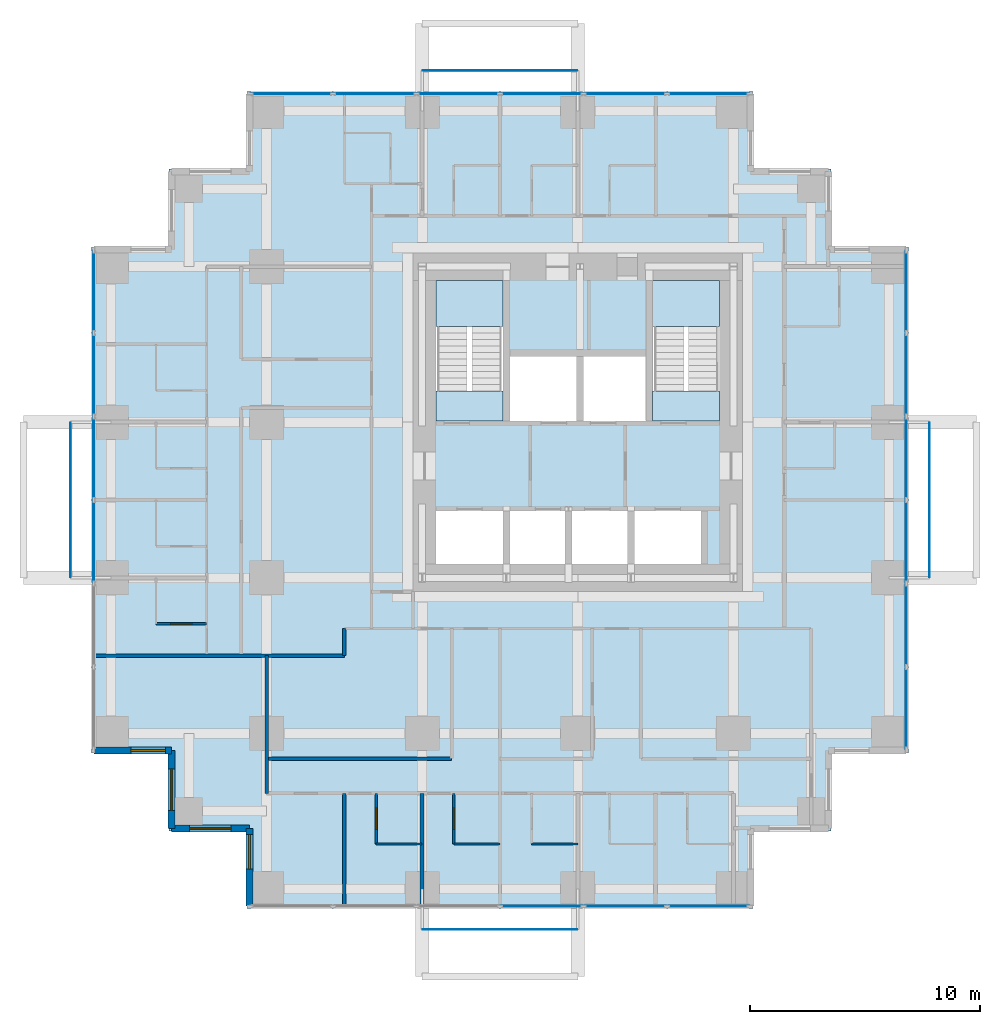
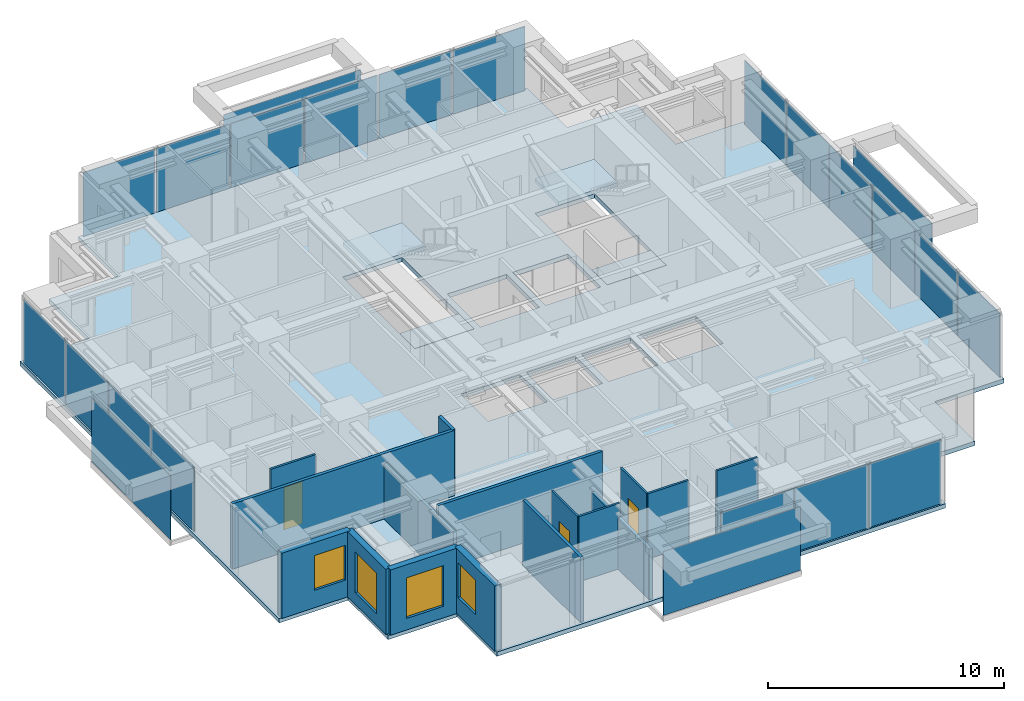
# One storey, part 5 of 11: 23 plates, 16 walls, 5 slabs, 4 windows, 3 doors, 7 openings, 6 elements without a shape of their own.
"""IFC4 building model written with IfcOpenShell, lengths in metres."""

from ifc_helpers import new_model, si_unit, direction, frame, frame_2d, origin, origin_2d, place, context, subcontext, project, spatial, polyline, rectangle, outline, extrude, material, layer, layer_set, type_object, element, fill, aggregate, save


model = new_model("IFC4")

# Units and contexts
model_context = context("Model", 3, precision=1e-05, world=origin(), true_north=direction((0.0, 1.0)))
body_context = subcontext(model_context, "Body", "Model", "MODEL_VIEW")
ifc_project = project(units=[si_unit("LENGTHUNIT", "METRE"), si_unit("AREAUNIT", "SQUARE_METRE"), si_unit("VOLUMEUNIT", "CUBIC_METRE"), si_unit("PLANEANGLEUNIT", "RADIAN"), si_unit("MASSUNIT", "GRAM", prefix="KILO")], contexts=[model_context])

# Site, building, storey
site_placement = place(None, origin())
site = spatial("IfcSite", under=ifc_project, at=site_placement, CompositionType="ELEMENT")
building_placement = place(site_placement, origin())
building = spatial("IfcBuilding", under=site, at=building_placement, Name="Nyansa Garden Tower", CompositionType="ELEMENT")
storey_placement = place(building_placement, frame((0.0, 0.0, 160.199951171875)))
storey = spatial("IfcBuildingStorey", under=building, at=storey_placement, Name="L43", CompositionType="ELEMENT", Elevation=160.199951171875)

# Curtain wall, plates
ifc_material_1 = material(Name="Black anodised aluminium, dark tinted double glazing", Category="aluminium")
curtain_wall_type = type_object("IfcCurtainWallType", Name="Inner skin curtain wall ISW-C", PredefinedType="USERDEFINED", material=ifc_material_1)
curtain_wall_1_placement = place(storey_placement, origin())
curtain_wall_1 = element("IfcCurtainWall", 1, at=curtain_wall_1_placement, inside=storey, type_object=curtain_wall_type, Name="Inner skin curtain wall L43 E", ObjectType="UNITISED CURTAIN WALL", PredefinedType="USERDEFINED")
ifc_material_2 = material(Name="Dark tinted laminated double glazing", Category="glass")
ifc_layer_1 = layer(ifc_material_2, 0.0400390625)
ifc_layer_set_1 = layer_set([ifc_layer_1], Name="Dark tinted vision panel VP-C")
plate_type_1 = type_object("IfcPlateType", Name="Dark tinted vision panel VP-C", PredefinedType="CURTAIN_PANEL", material=ifc_layer_set_1)
plate_1_placement = place(storey_placement, frame((34.5, 7.830078125, 0.0), z_axis=(0.0, 0.0, 1.0), x_axis=(0.0, 1.0, 0.0)))
plate_1 = element("IfcPlate", 2, at=plate_1_placement, type_object=plate_type_1, Name="ISW-C panel 1", PredefinedType="CURTAIN_PANEL", context=body_context, shape_type="SweptSolid", body=[
    extrude(rectangle(XDim=3.52001953125, YDim=0.0400390625, at=origin_2d()), origin(), (0.0, 0.0, 1.0), 3.304931640625),
])
plate_2_placement = place(storey_placement, frame((34.5, 11.4375, 0.0), z_axis=(0.0, 0.0, 1.0), x_axis=(0.0, 1.0, 0.0)))
plate_2 = element("IfcPlate", 3, at=plate_2_placement, type_object=plate_type_1, Name="ISW-C panel 2", PredefinedType="CURTAIN_PANEL", context=body_context, shape_type="SweptSolid", body=[
    extrude(rectangle(XDim=3.554931640625, YDim=0.0400390625, at=origin_2d()), origin(), (0.0, 0.0, 1.0), 3.304931640625),
])
plate_3_placement = place(storey_placement, frame((34.5, 15.0625, 0.0), z_axis=(0.0, 0.0, 1.0), x_axis=(0.0, 1.0, 0.0)))
plate_3 = element("IfcPlate", 4, at=plate_3_placement, type_object=plate_type_1, Name="ISW-C panel 3", PredefinedType="CURTAIN_PANEL", context=body_context, shape_type="SweptSolid", body=[
    extrude(rectangle(XDim=3.554931640625, YDim=0.0400390625, at=origin_2d()), origin(), (0.0, 0.0, 1.0), 3.304931640625),
])
plate_4_placement = place(storey_placement, frame((34.5, 18.6875, 0.0), z_axis=(0.0, 0.0, 1.0), x_axis=(0.0, 1.0, 0.0)))
plate_4 = element("IfcPlate", 5, at=plate_4_placement, type_object=plate_type_1, Name="ISW-C panel 4", PredefinedType="CURTAIN_PANEL", context=body_context, shape_type="SweptSolid", body=[
    extrude(rectangle(XDim=3.554931640625, YDim=0.0400390625, at=origin_2d()), origin(), (0.0, 0.0, 1.0), 3.304931640625),
])
plate_5_placement = place(storey_placement, frame((34.5, 22.3125, 0.0), z_axis=(0.0, 0.0, 1.0), x_axis=(0.0, 1.0, 0.0)))
plate_5 = element("IfcPlate", 6, at=plate_5_placement, type_object=plate_type_1, Name="ISW-C panel 5", PredefinedType="CURTAIN_PANEL", context=body_context, shape_type="SweptSolid", body=[
    extrude(rectangle(XDim=3.554931640625, YDim=0.0400390625, at=origin_2d()), origin(), (0.0, 0.0, 1.0), 3.304931640625),
])
plate_6_placement = place(storey_placement, frame((34.5, 25.919921875, 0.0), z_axis=(0.0, 0.0, 1.0), x_axis=(0.0, 1.0, 0.0)))
plate_6 = element("IfcPlate", 7, at=plate_6_placement, type_object=plate_type_1, Name="ISW-C panel 6", PredefinedType="CURTAIN_PANEL", context=body_context, shape_type="SweptSolid", body=[
    extrude(rectangle(XDim=3.52001953125, YDim=0.0400390625, at=origin_2d()), origin(), (0.0, 0.0, 1.0), 3.304931640625),
])
aggregate(curtain_wall_1, [plate_1, plate_2, plate_3, plate_4, plate_5, plate_6])

curtain_wall_2_placement = place(storey_placement, origin())
curtain_wall_2 = element("IfcCurtainWall", 8, at=curtain_wall_2_placement, inside=storey, type_object=curtain_wall_type, Name="Inner skin curtain wall L43 N", ObjectType="UNITISED CURTAIN WALL", PredefinedType="USERDEFINED")
plate_7_placement = place(storey_placement, frame((25.919921875, 34.5, 0.0), z_axis=(0.0, 0.0, 1.0), x_axis=(-1.0, 0.0, 0.0)))
plate_7 = element("IfcPlate", 9, at=plate_7_placement, type_object=plate_type_1, Name="ISW-C panel 1", PredefinedType="CURTAIN_PANEL", context=body_context, shape_type="SweptSolid", body=[
    extrude(rectangle(XDim=3.52001953125, YDim=0.0400390625, at=origin_2d()), origin(), (0.0, 0.0, 1.0), 3.304931640625),
])
plate_8_placement = place(storey_placement, frame((22.3125, 34.5, 0.0), z_axis=(0.0, 0.0, 1.0), x_axis=(-1.0, 0.0, 0.0)))
plate_8 = element("IfcPlate", 10, at=plate_8_placement, type_object=plate_type_1, Name="ISW-C panel 2", PredefinedType="CURTAIN_PANEL", context=body_context, shape_type="SweptSolid", body=[
    extrude(rectangle(XDim=3.554931640625, YDim=0.0400390625, at=origin_2d()), origin(), (0.0, 0.0, 1.0), 3.304931640625),
])
plate_9_placement = place(storey_placement, frame((18.6875, 34.5, 0.0), z_axis=(0.0, 0.0, 1.0), x_axis=(-1.0, 0.0, 0.0)))
plate_9 = element("IfcPlate", 11, at=plate_9_placement, type_object=plate_type_1, Name="ISW-C panel 3", PredefinedType="CURTAIN_PANEL", context=body_context, shape_type="SweptSolid", body=[
    extrude(rectangle(XDim=3.554931640625, YDim=0.0400390625, at=origin_2d()), origin(), (0.0, 0.0, 1.0), 3.304931640625),
])
plate_10_placement = place(storey_placement, frame((15.0625, 34.5, 0.0), z_axis=(0.0, 0.0, 1.0), x_axis=(-1.0, 0.0, 0.0)))
plate_10 = element("IfcPlate", 12, at=plate_10_placement, type_object=plate_type_1, Name="ISW-C panel 4", PredefinedType="CURTAIN_PANEL", context=body_context, shape_type="SweptSolid", body=[
    extrude(rectangle(XDim=3.554931640625, YDim=0.0400390625, at=origin_2d()), origin(), (0.0, 0.0, 1.0), 3.304931640625),
])
plate_11_placement = place(storey_placement, frame((11.4375, 34.5, 0.0), z_axis=(0.0, 0.0, 1.0), x_axis=(-1.0, 0.0, 0.0)))
plate_11 = element("IfcPlate", 13, at=plate_11_placement, type_object=plate_type_1, Name="ISW-C panel 5", PredefinedType="CURTAIN_PANEL", context=body_context, shape_type="SweptSolid", body=[
    extrude(rectangle(XDim=3.554931640625, YDim=0.0400390625, at=origin_2d()), origin(), (0.0, 0.0, 1.0), 3.304931640625),
])
plate_12_placement = place(storey_placement, frame((7.830078125, 34.5, 0.0), z_axis=(0.0, 0.0, 1.0), x_axis=(-1.0, 0.0, 0.0)))
plate_12 = element("IfcPlate", 14, at=plate_12_placement, type_object=plate_type_1, Name="ISW-C panel 6", PredefinedType="CURTAIN_PANEL", context=body_context, shape_type="SweptSolid", body=[
    extrude(rectangle(XDim=3.52001953125, YDim=0.0400390625, at=origin_2d()), origin(), (0.0, 0.0, 1.0), 3.304931640625),
])
aggregate(curtain_wall_2, [plate_7, plate_8, plate_9, plate_10, plate_11, plate_12])

curtain_wall_3_placement = place(storey_placement, origin())
curtain_wall_3 = element("IfcCurtainWall", 15, at=curtain_wall_3_placement, inside=storey, type_object=curtain_wall_type, Name="Inner skin curtain wall L43 W", ObjectType="UNITISED CURTAIN WALL", PredefinedType="USERDEFINED")
plate_13_placement = place(storey_placement, frame((-0.75, 25.919921875, 0.0), z_axis=(0.0, 0.0, 1.0), x_axis=(0.0, -1.0, 0.0)))
plate_13 = element("IfcPlate", 16, at=plate_13_placement, type_object=plate_type_1, Name="ISW-C panel 1", PredefinedType="CURTAIN_PANEL", context=body_context, shape_type="SweptSolid", body=[
    extrude(rectangle(XDim=3.52001953125, YDim=0.0400390625, at=origin_2d()), origin(), (0.0, 0.0, 1.0), 3.304931640625),
])
plate_14_placement = place(storey_placement, frame((-0.75, 22.3125, 0.0), z_axis=(0.0, 0.0, 1.0), x_axis=(0.0, -1.0, 0.0)))
plate_14 = element("IfcPlate", 17, at=plate_14_placement, type_object=plate_type_1, Name="ISW-C panel 2", PredefinedType="CURTAIN_PANEL", context=body_context, shape_type="SweptSolid", body=[
    extrude(rectangle(XDim=3.554931640625, YDim=0.0400390625, at=origin_2d()), origin(), (0.0, 0.0, 1.0), 3.304931640625),
])
plate_15_placement = place(storey_placement, frame((-0.75, 18.6875, 0.0), z_axis=(0.0, 0.0, 1.0), x_axis=(0.0, -1.0, 0.0)))
plate_15 = element("IfcPlate", 18, at=plate_15_placement, type_object=plate_type_1, Name="ISW-C panel 3", PredefinedType="CURTAIN_PANEL", context=body_context, shape_type="SweptSolid", body=[
    extrude(rectangle(XDim=3.554931640625, YDim=0.0400390625, at=origin_2d()), origin(), (0.0, 0.0, 1.0), 3.304931640625),
])
plate_16_placement = place(storey_placement, frame((-0.75, 15.0625, 0.0), z_axis=(0.0, 0.0, 1.0), x_axis=(0.0, -1.0, 0.0)))
plate_16 = element("IfcPlate", 19, at=plate_16_placement, type_object=plate_type_1, Name="ISW-C panel 4", PredefinedType="CURTAIN_PANEL", context=body_context, shape_type="SweptSolid", body=[
    extrude(rectangle(XDim=3.554931640625, YDim=0.0400390625, at=origin_2d()), origin(), (0.0, 0.0, 1.0), 3.304931640625),
])
aggregate(curtain_wall_3, [plate_13, plate_14, plate_15, plate_16])

curtain_wall_4_placement = place(storey_placement, origin())
curtain_wall_4 = element("IfcCurtainWall", 20, at=curtain_wall_4_placement, inside=storey, type_object=curtain_wall_type, Name="Inner skin curtain wall L43 S", ObjectType="UNITISED CURTAIN WALL", PredefinedType="USERDEFINED")
plate_17_placement = place(storey_placement, frame((18.6875, -0.75, 0.0), z_axis=(0.0, 0.0, 1.0), x_axis=(1.0, 0.0, 0.0)))
plate_17 = element("IfcPlate", 21, at=plate_17_placement, type_object=plate_type_1, Name="ISW-C panel 4", PredefinedType="CURTAIN_PANEL", context=body_context, shape_type="SweptSolid", body=[
    extrude(rectangle(XDim=3.554931640625, YDim=0.0400390625, at=origin_2d()), origin(), (0.0, 0.0, 1.0), 3.304931640625),
])
plate_18_placement = place(storey_placement, frame((22.3125, -0.75, 0.0), z_axis=(0.0, 0.0, 1.0), x_axis=(1.0, 0.0, 0.0)))
plate_18 = element("IfcPlate", 22, at=plate_18_placement, type_object=plate_type_1, Name="ISW-C panel 5", PredefinedType="CURTAIN_PANEL", context=body_context, shape_type="SweptSolid", body=[
    extrude(rectangle(XDim=3.554931640625, YDim=0.0400390625, at=origin_2d()), origin(), (0.0, 0.0, 1.0), 3.304931640625),
])
plate_19_placement = place(storey_placement, frame((25.919921875, -0.75, 0.0), z_axis=(0.0, 0.0, 1.0), x_axis=(1.0, 0.0, 0.0)))
plate_19 = element("IfcPlate", 23, at=plate_19_placement, type_object=plate_type_1, Name="ISW-C panel 6", PredefinedType="CURTAIN_PANEL", context=body_context, shape_type="SweptSolid", body=[
    extrude(rectangle(XDim=3.52001953125, YDim=0.0400390625, at=origin_2d()), origin(), (0.0, 0.0, 1.0), 3.304931640625),
])
aggregate(curtain_wall_4, [plate_17, plate_18, plate_19])

# Slab
ifc_material_3 = material(Name="Concrete C40/50", Category="concrete")
ifc_layer_2 = layer(ifc_material_3, 0.22509765625)
ifc_layer_set_2 = layer_set([ifc_layer_2], Name="Floor slab FS225")
slab_type_1 = type_object("IfcSlabType", Name="Floor slab FS225", PredefinedType="FLOOR", material=ifc_layer_set_2)
slab_1_placement = place(storey_placement, frame((0.0, 0.0, -0.224853515625)))
element("IfcSlab", 24, at=slab_1_placement, inside=storey, type_object=slab_type_1, Name="Floor slab L43", PredefinedType="FLOOR", context=body_context, shape_type="SweptSolid", body=[
    extrude(outline(polyline([(34.60009765625, 5.89990234375), (31.22509765625, 5.89990234375), (31.22509765625, 2.52490234375), (27.85009765625, 2.52490234375), (27.85009765625, -0.85009765625), (5.89990234375, -0.85009765625), (5.89990234375, 2.52490234375), (2.52490234375, 2.52490234375), (2.52490234375, 5.89990234375), (-0.85009765625, 5.89990234375), (-0.85009765625, 27.85009765625), (2.52490234375, 27.85009765625), (2.52490234375, 31.22509765625), (5.89990234375, 31.22509765625), (5.89990234375, 34.60009765625), (27.85009765625, 34.60009765625), (27.85009765625, 31.22509765625), (31.22509765625, 31.22509765625), (31.22509765625, 27.85009765625), (34.60009765625, 27.85009765625), (34.60009765625, 5.89990234375)]), holes=[polyline([(14.10009765625, 14.10009765625), (17.0, 14.10009765625), (17.0, 16.39990234375), (14.10009765625, 16.39990234375), (14.10009765625, 14.10009765625)]), polyline([(17.300048828125, 14.10009765625), (19.699951171875, 14.10009765625), (19.699951171875, 16.39990234375), (17.300048828125, 16.39990234375), (17.300048828125, 14.10009765625)]), polyline([(20.0, 14.10009765625), (22.39990234375, 14.10009765625), (22.39990234375, 16.39990234375), (20.0, 16.39990234375), (20.0, 14.10009765625)]), polyline([(22.699951171875, 14.10009765625), (25.60009765625, 14.10009765625), (25.60009765625, 16.39990234375), (22.699951171875, 16.39990234375), (22.699951171875, 14.10009765625)]), polyline([(17.300048828125, 20.300048828125), (20.199951171875, 20.300048828125), (20.199951171875, 23.10009765625), (17.300048828125, 23.10009765625), (17.300048828125, 20.300048828125)]), polyline([(20.5, 20.300048828125), (23.199951171875, 20.300048828125), (23.199951171875, 23.10009765625), (20.5, 23.10009765625), (20.5, 20.300048828125)]), polyline([(14.10009765625, 20.300048828125), (17.0, 20.300048828125), (17.0, 26.39990234375), (14.10009765625, 26.39990234375), (14.10009765625, 20.300048828125)]), polyline([(23.5, 20.300048828125), (26.39990234375, 20.300048828125), (26.39990234375, 26.39990234375), (23.5, 26.39990234375), (23.5, 20.300048828125)])]), origin(), (0.0, 0.0, 1.0), 0.224853515625),
])

# Plates
ifc_material_4 = material(Name="Dark tinted laminated glass", Category="glass")
ifc_layer_3 = layer(ifc_material_4, 0.02392578125)
ifc_layer_set_3 = layer_set([ifc_layer_3], Name="Outer skin glass panel OS1")
plate_type_2 = type_object("IfcPlateType", Name="Outer skin glass panel OS1", PredefinedType="USERDEFINED", material=ifc_layer_set_3)
for number, where, z_axis, x_axis, name in (
    (25, (35.5, 16.875, -0.22509765625), (0.0, 0.0, 1.0), (0.0, 1.0, 0.0), "Outer skin glass panel L43"),
    (26, (16.875, 35.5, -0.22509765625), (0.0, 0.0, 1.0), (1.0, 0.0, 0.0), "Outer skin glass panel L43"),
    (27, (-1.75, 16.875, -0.22509765625), (0.0, 0.0, 1.0), (0.0, 1.0, 0.0), "Outer skin glass panel L43"),
    (28, (16.875, -1.75, -0.22509765625), (0.0, 0.0, 1.0), (1.0, 0.0, 0.0), "Outer skin glass panel L43"),
):
    element("IfcPlate", number, at=place(storey_placement, frame(where, z_axis=z_axis, x_axis=x_axis)), inside=storey, type_object=plate_type_2, Name=name, ObjectType="OUTER SKIN GLASS", PredefinedType="USERDEFINED", context=body_context, shape_type="SweptSolid", body=[
        extrude(rectangle(XDim=6.7099609375, YDim=0.02392578125, at=origin_2d()), origin(), (0.0, 0.0, 1.0), 3.300048828125),
    ])

# Stair, slabs
ifc_material_5 = material(Name="Precast concrete C40/50", Category="concrete")
stair_type_1 = type_object("IfcStairType", Name="Stair S1 164x280", PredefinedType="HALF_TURN_STAIR", material=ifc_material_5)
stair_1_placement = place(storey_placement, origin())
stair_1 = element("IfcStair", 29, at=stair_1_placement, inside=storey, type_object=stair_type_1, Name="Stair S1 L43", PredefinedType="HALF_TURN_STAIR")
ifc_material_6 = material(Name="Concrete C40/50", Category="concrete")
ifc_layer_4 = layer(ifc_material_6, 0.199951171875)
ifc_layer_set_4 = layer_set([ifc_layer_4], Name="Stair landing SL200")
slab_type_2 = type_object("IfcSlabType", Name="Stair landing SL200", PredefinedType="LANDING", material=ifc_layer_set_4)
slab_2_placement = place(storey_placement, frame((0.0, 0.0, -0.199951171875)))
slab_2 = element("IfcSlab", 30, at=slab_2_placement, type_object=slab_type_2, Name="S1 landing 1", PredefinedType="LANDING", context=body_context, shape_type="SweptSolid", body=[
    extrude(outline(polyline([(14.10009765625, 20.300048828125), (17.0, 20.300048828125), (17.0, 21.60009765625), (14.10009765625, 21.60009765625), (14.10009765625, 20.300048828125)])), origin(), (0.0, 0.0, 1.0), 0.199951171875),
])
slab_3_placement = place(storey_placement, frame((0.0, 0.0, 1.60009765625)))
slab_3 = element("IfcSlab", 31, at=slab_3_placement, type_object=slab_type_2, Name="S1 landing 2", PredefinedType="LANDING", context=body_context, shape_type="SweptSolid", body=[
    extrude(outline(polyline([(14.10009765625, 24.39990234375), (17.0, 24.39990234375), (17.0, 26.39990234375), (14.10009765625, 26.39990234375), (14.10009765625, 24.39990234375)])), origin(), (0.0, 0.0, 1.0), 0.199951171875),
])
aggregate(stair_1, [slab_2, slab_3])

ifc_material_7 = material(Name="Precast concrete C40/50", Category="concrete")
stair_type_2 = type_object("IfcStairType", Name="Stair S2 164x280", PredefinedType="HALF_TURN_STAIR", material=ifc_material_7)
stair_2_placement = place(storey_placement, origin())
stair_2 = element("IfcStair", 32, at=stair_2_placement, inside=storey, type_object=stair_type_2, Name="Stair S2 L43", PredefinedType="HALF_TURN_STAIR")
slab_4_placement = place(storey_placement, frame((0.0, 0.0, -0.199951171875)))
slab_4 = element("IfcSlab", 33, at=slab_4_placement, type_object=slab_type_2, Name="S2 landing 1", PredefinedType="LANDING", context=body_context, shape_type="SweptSolid", body=[
    extrude(outline(polyline([(23.5, 20.300048828125), (26.39990234375, 20.300048828125), (26.39990234375, 21.60009765625), (23.5, 21.60009765625), (23.5, 20.300048828125)])), origin(), (0.0, 0.0, 1.0), 0.199951171875),
])
slab_5_placement = place(storey_placement, frame((0.0, 0.0, 1.60009765625)))
slab_5 = element("IfcSlab", 34, at=slab_5_placement, type_object=slab_type_2, Name="S2 landing 2", PredefinedType="LANDING", context=body_context, shape_type="SweptSolid", body=[
    extrude(outline(polyline([(23.5, 24.39990234375), (26.39990234375, 24.39990234375), (26.39990234375, 26.39990234375), (23.5, 26.39990234375), (23.5, 24.39990234375)])), origin(), (0.0, 0.0, 1.0), 0.199951171875),
])
aggregate(stair_2, [slab_4, slab_5])

# Walls
ifc_material_8 = material(Name="Dense blockwork, plastered both sides, 55 dB", Category="masonry")
ifc_layer_5 = layer(ifc_material_8, 0.175048828125)
ifc_layer_set_5 = layer_set([ifc_layer_5], Name="Acoustic party wall PW175")
wall_type_1 = type_object("IfcWallType", Name="Acoustic party wall PW175", PredefinedType="PARTITIONING", material=ifc_layer_set_5)
wall_1_placement = place(storey_placement, frame((13.5, -0.73388671875, 0.0), z_axis=(0.0, 0.0, 1.0), x_axis=(0.0, 1.0, 0.0)))
element("IfcWall", 35, at=wall_1_placement, inside=storey, type_object=wall_type_1, Name="Party wall", PredefinedType="PARTITIONING", context=body_context, shape_type="SweptSolid", body=[
    extrude(rectangle(XDim=4.8837890625, YDim=0.175048828125, at=frame_2d((2.44189453125, 0.0))), origin(), (0.0, 0.0, 1.0), 2.610107421875),
])
ifc_material_9 = material(Name="Blockwork, plastered both sides", Category="masonry")
ifc_layer_6 = layer(ifc_material_9, 0.14990234375)
ifc_layer_set_6 = layer_set([ifc_layer_6], Name="Partition PW150")
wall_type_2 = type_object("IfcWallType", Name="Partition PW150", PredefinedType="PARTITIONING", material=ifc_layer_set_6)
wall_2_placement = place(storey_placement, frame((-0.73388671875, 10.125, 0.0), z_axis=(0.0, 0.0, 1.0), x_axis=(1.0, 0.0, 0.0)))
element("IfcWall", 36, at=wall_2_placement, inside=storey, type_object=wall_type_2, Name="Partition", PredefinedType="PARTITIONING", context=body_context, shape_type="SweptSolid", body=[
    extrude(rectangle(XDim=10.85888671875, YDim=0.14990234375, at=frame_2d((5.429443359375, 0.0))), origin(), (0.0, 0.0, 1.0), 3.375),
])
wall_3_placement = place(storey_placement, frame((6.75, 4.14990234375, 0.0), z_axis=(0.0, 0.0, 1.0), x_axis=(0.0, 1.0, 0.0)))
element("IfcWall", 37, at=wall_3_placement, inside=storey, type_object=wall_type_2, Name="Partition", PredefinedType="PARTITIONING", context=body_context, shape_type="SweptSolid", body=[
    extrude(rectangle(XDim=5.97509765625, YDim=0.14990234375, at=frame_2d((2.987548828125, 0.0))), origin(), (0.0, 0.0, 1.0), 2.876953125),
])
wall_4_placement = place(storey_placement, frame((6.75, 5.64990234375, 0.0), z_axis=(0.0, 0.0, 1.0), x_axis=(1.0, 0.0, 0.0)))
element("IfcWall", 38, at=wall_4_placement, inside=storey, type_object=wall_type_2, Name="Partition", PredefinedType="PARTITIONING", context=body_context, shape_type="SweptSolid", body=[
    extrude(rectangle(XDim=8.02490234375, YDim=0.14990234375, at=frame_2d((4.012451171875, 0.0))), origin(), (0.0, 0.0, 1.0), 3.375),
])
wall_5_placement = place(storey_placement, frame((10.125, -0.73388671875, 0.0), z_axis=(0.0, 0.0, 1.0), x_axis=(0.0, 1.0, 0.0)))
element("IfcWall", 39, at=wall_5_placement, inside=storey, type_object=wall_type_2, Name="Partition", PredefinedType="PARTITIONING", context=body_context, shape_type="SweptSolid", body=[
    extrude(rectangle(XDim=4.8837890625, YDim=0.14990234375, at=frame_2d((2.44189453125, 0.0))), origin(), (0.0, 0.0, 1.0), 3.375),
])
wall_6_placement = place(storey_placement, frame((10.125, 10.125, 0.0), z_axis=(0.0, 0.0, 1.0), x_axis=(0.0, 1.0, 0.0)))
element("IfcWall", 40, at=wall_6_placement, inside=storey, type_object=wall_type_2, Name="Partition", PredefinedType="PARTITIONING", context=body_context, shape_type="SweptSolid", body=[
    extrude(rectangle(XDim=1.175048828125, YDim=0.14990234375, at=frame_2d((0.58740234375, 0.0))), origin(), (0.0, 0.0, 1.0), 3.375),
])

# Wall, opening, window
ifc_material_10 = material(Name="Turquoise glazed tile on concrete blockwork", Category="masonry")
ifc_layer_7 = layer(ifc_material_10, 0.300048828125)
ifc_layer_set_7 = layer_set([ifc_layer_7], Name="Tiled corner wall TW300")
wall_type_3 = type_object("IfcWallType", Name="Tiled corner wall TW300", PredefinedType="SOLIDWALL", material=ifc_layer_set_7)
wall_7_placement = place(storey_placement, frame((-0.75, 6.0, 0.0), z_axis=(0.0, 0.0, 1.0), x_axis=(1.0, 0.0, 0.0)))
wall_7 = element("IfcWall", 41, at=wall_7_placement, inside=storey, type_object=wall_type_3, Name="Tiled corner wall L43", PredefinedType="SOLIDWALL", context=body_context, shape_type="SweptSolid", body=[
    extrude(rectangle(XDim=3.375, YDim=0.300048828125, at=frame_2d((1.6875, 0.0))), origin(), (0.0, 0.0, 1.0), 3.375),
])
opening_1_placement = place(wall_7_placement, frame((1.607421875, 0.0, 0.89990234375)))
opening_1 = element("IfcOpeningElement", 42, at=opening_1_placement, cuts=wall_7, Name="Opening W1", PredefinedType="OPENING", context=body_context, shape_type="SweptSolid", body=[
    extrude(rectangle(XDim=1.5, YDim=1.800048828125, at=frame_2d((0.75, 0.89990234375))), frame((0.0, 0.159912109375, 0.0), z_axis=(0.0, -1.0, 0.0), x_axis=(1.0, 0.0, 0.0)), (0.0, 0.0, 1.0), 0.320068359375),
])
ifc_material_11 = material(Name="Black aluminium frame, dark tinted double glazing", Category="aluminium")
window_type_1 = type_object("IfcWindowType", Name="Window W1 1500x1800", PartitioningType="SINGLE_PANEL", PredefinedType="WINDOW", material=ifc_material_11)
window_1_placement = place(opening_1_placement, origin())
window_1 = element("IfcWindow", 43, at=window_1_placement, inside=storey, type_object=window_type_1, Name="Corner window L43", OverallHeight=1.800048828125, OverallWidth=1.5, PartitioningType="SINGLE_PANEL", PredefinedType="WINDOW", context=body_context, shape_type="SweptSolid", body=[
    extrude(rectangle(XDim=1.5, YDim=1.800048828125, at=frame_2d((0.75, 0.89990234375))), frame((0.0, 0.030029296875, 0.0), z_axis=(0.0, -1.0, 0.0), x_axis=(1.0, 0.0, 0.0)), (0.0, 0.0, 1.0), 0.06005859375),
])
fill(opening_1, window_1)

wall_8_placement = place(storey_placement, frame((2.625, 6.0, 0.0), z_axis=(0.0, 0.0, 1.0), x_axis=(0.0, -1.0, 0.0)))
wall_8 = element("IfcWall", 44, at=wall_8_placement, inside=storey, type_object=wall_type_3, Name="Tiled corner wall L43", PredefinedType="SOLIDWALL", context=body_context, shape_type="SweptSolid", body=[
    extrude(rectangle(XDim=3.375, YDim=0.300048828125, at=frame_2d((1.6875, 0.0))), origin(), (0.0, 0.0, 1.0), 3.375),
])
opening_2_placement = place(wall_8_placement, frame((0.78759765625, 0.0, 0.60009765625)))
opening_2 = element("IfcOpeningElement", 45, at=opening_2_placement, cuts=wall_8, Name="Opening W2", PredefinedType="OPENING", context=body_context, shape_type="SweptSolid", body=[
    extrude(rectangle(XDim=1.800048828125, YDim=2.10009765625, at=frame_2d((0.89990234375, 1.050048828125))), frame((0.0, 0.159912109375, 0.0), z_axis=(0.0, -1.0, 0.0), x_axis=(1.0, 0.0, 0.0)), (0.0, 0.0, 1.0), 0.320068359375),
])
ifc_material_12 = material(Name="Black aluminium frame, dark tinted double glazing", Category="aluminium")
window_type_2 = type_object("IfcWindowType", Name="Window W2 1800x2100", PartitioningType="SINGLE_PANEL", PredefinedType="WINDOW", material=ifc_material_12)
window_2_placement = place(opening_2_placement, origin())
window_2 = element("IfcWindow", 46, at=window_2_placement, inside=storey, type_object=window_type_2, Name="Corner window L43", OverallHeight=2.10009765625, OverallWidth=1.800048828125, PartitioningType="SINGLE_PANEL", PredefinedType="WINDOW", context=body_context, shape_type="SweptSolid", body=[
    extrude(rectangle(XDim=1.800048828125, YDim=2.10009765625, at=frame_2d((0.89990234375, 1.050048828125))), frame((0.0, 0.030029296875, 0.0), z_axis=(0.0, -1.0, 0.0), x_axis=(1.0, 0.0, 0.0)), (0.0, 0.0, 1.0), 0.06005859375),
])
fill(opening_2, window_2)

wall_9_placement = place(storey_placement, frame((2.625, 2.625, 0.0), z_axis=(0.0, 0.0, 1.0), x_axis=(1.0, 0.0, 0.0)))
wall_9 = element("IfcWall", 47, at=wall_9_placement, inside=storey, type_object=wall_type_3, Name="Tiled corner wall L43", PredefinedType="SOLIDWALL", context=body_context, shape_type="SweptSolid", body=[
    extrude(rectangle(XDim=3.375, YDim=0.300048828125, at=frame_2d((1.6875, 0.0))), origin(), (0.0, 0.0, 1.0), 3.375),
])
opening_3_placement = place(wall_9_placement, frame((0.78759765625, 0.0, 0.60009765625)))
opening_3 = element("IfcOpeningElement", 48, at=opening_3_placement, cuts=wall_9, Name="Opening W2", PredefinedType="OPENING", context=body_context, shape_type="SweptSolid", body=[
    extrude(rectangle(XDim=1.800048828125, YDim=2.10009765625, at=frame_2d((0.89990234375, 1.050048828125))), frame((0.0, 0.159912109375, 0.0), z_axis=(0.0, -1.0, 0.0), x_axis=(1.0, 0.0, 0.0)), (0.0, 0.0, 1.0), 0.320068359375),
])
window_3_placement = place(opening_3_placement, origin())
window_3 = element("IfcWindow", 49, at=window_3_placement, inside=storey, type_object=window_type_2, Name="Corner window L43", OverallHeight=2.10009765625, OverallWidth=1.800048828125, PartitioningType="SINGLE_PANEL", PredefinedType="WINDOW", context=body_context, shape_type="SweptSolid", body=[
    extrude(rectangle(XDim=1.800048828125, YDim=2.10009765625, at=frame_2d((0.89990234375, 1.050048828125))), frame((0.0, 0.030029296875, 0.0), z_axis=(0.0, -1.0, 0.0), x_axis=(1.0, 0.0, 0.0)), (0.0, 0.0, 1.0), 0.06005859375),
])
fill(opening_3, window_3)

wall_10_placement = place(storey_placement, frame((6.0, 2.625, 0.0), z_axis=(0.0, 0.0, 1.0), x_axis=(0.0, -1.0, 0.0)))
wall_10 = element("IfcWall", 50, at=wall_10_placement, inside=storey, type_object=wall_type_3, Name="Tiled corner wall L43", PredefinedType="SOLIDWALL", context=body_context, shape_type="SweptSolid", body=[
    extrude(rectangle(XDim=3.375, YDim=0.300048828125, at=frame_2d((1.6875, 0.0))), origin(), (0.0, 0.0, 1.0), 3.375),
])
opening_4_placement = place(wall_10_placement, frame((0.267578125, 0.0, 0.89990234375)))
opening_4 = element("IfcOpeningElement", 51, at=opening_4_placement, cuts=wall_10, Name="Opening W1", PredefinedType="OPENING", context=body_context, shape_type="SweptSolid", body=[
    extrude(rectangle(XDim=1.5, YDim=1.800048828125, at=frame_2d((0.75, 0.89990234375))), frame((0.0, 0.159912109375, 0.0), z_axis=(0.0, -1.0, 0.0), x_axis=(1.0, 0.0, 0.0)), (0.0, 0.0, 1.0), 0.320068359375),
])
window_4_placement = place(opening_4_placement, origin())
window_4 = element("IfcWindow", 52, at=window_4_placement, inside=storey, type_object=window_type_1, Name="Corner window L43", OverallHeight=1.800048828125, OverallWidth=1.5, PartitioningType="SINGLE_PANEL", PredefinedType="WINDOW", context=body_context, shape_type="SweptSolid", body=[
    extrude(rectangle(XDim=1.5, YDim=1.800048828125, at=frame_2d((0.75, 0.89990234375))), frame((0.0, 0.030029296875, 0.0), z_axis=(0.0, -1.0, 0.0), x_axis=(1.0, 0.0, 0.0)), (0.0, 0.0, 1.0), 0.06005859375),
])
fill(opening_4, window_4)

# Wall, opening, door
ifc_material_13 = material(Name="Moisture resistant board on steel studs, tiled", Category="steel")
ifc_layer_8 = layer(ifc_material_13, 0.10009765625)
ifc_layer_set_8 = layer_set([ifc_layer_8], Name="Wet wall PW100")
wall_type_4 = type_object("IfcWallType", Name="Wet wall PW100", PredefinedType="PARTITIONING", material=ifc_layer_set_8)
wall_11_placement = place(storey_placement, frame((1.949951171875, 11.5, 0.0), z_axis=(0.0, 0.0, 1.0), x_axis=(1.0, 0.0, 0.0)))
wall_11 = element("IfcWall", 53, at=wall_11_placement, inside=storey, type_object=wall_type_4, Name="Wet wall", PredefinedType="PARTITIONING", context=body_context, shape_type="SweptSolid", body=[
    extrude(rectangle(XDim=2.199951171875, YDim=0.10009765625, at=frame_2d((1.10009765625, 0.0))), origin(), (0.0, 0.0, 1.0), 3.375),
])
opening_5_placement = place(wall_11_placement, frame((0.64990234375, 0.0, 0.0)))
opening_5 = element("IfcOpeningElement", 54, at=opening_5_placement, cuts=wall_11, Name="Opening D02", PredefinedType="OPENING", context=body_context, shape_type="SweptSolid", body=[
    extrude(rectangle(XDim=0.89990234375, YDim=2.199951171875, at=frame_2d((0.449951171875, 1.10009765625))), frame((0.0, 0.06005859375, 0.0), z_axis=(0.0, -1.0, 0.0), x_axis=(1.0, 0.0, 0.0)), (0.0, 0.0, 1.0), 0.1201171875),
])
ifc_material_14 = material(Name="Timber flush door", Category="wood")
door_type = type_object("IfcDoorType", Name="En-suite door D02 900x2200", OperationType="SINGLE_SWING_RIGHT", PredefinedType="DOOR", material=ifc_material_14)
door_1_placement = place(opening_5_placement, origin())
door_1 = element("IfcDoor", 55, at=door_1_placement, inside=storey, type_object=door_type, Name="Door L43-051", OperationType="SINGLE_SWING_RIGHT", OverallHeight=2.199951171875, OverallWidth=0.89990234375, PredefinedType="DOOR", context=body_context, shape_type="SweptSolid", body=[
    extrude(rectangle(XDim=0.89990234375, YDim=2.199951171875, at=frame_2d((0.449951171875, 1.10009765625))), frame((0.0, 0.02490234375, 0.0), z_axis=(0.0, -1.0, 0.0), x_axis=(1.0, 0.0, 0.0)), (0.0, 0.0, 1.0), 0.050048828125),
])
fill(opening_5, door_1)

wall_12_placement = place(storey_placement, frame((11.5, 1.949951171875, 0.0), z_axis=(0.0, 0.0, 1.0), x_axis=(0.0, 1.0, 0.0)))
wall_12 = element("IfcWall", 56, at=wall_12_placement, inside=storey, type_object=wall_type_4, Name="Wet wall", PredefinedType="PARTITIONING", context=body_context, shape_type="SweptSolid", body=[
    extrude(rectangle(XDim=2.199951171875, YDim=0.10009765625, at=frame_2d((1.10009765625, 0.0))), origin(), (0.0, 0.0, 1.0), 3.375),
])
opening_6_placement = place(wall_12_placement, frame((0.64990234375, 0.0, 0.0)))
opening_6 = element("IfcOpeningElement", 57, at=opening_6_placement, cuts=wall_12, Name="Opening D02", PredefinedType="OPENING", context=body_context, shape_type="SweptSolid", body=[
    extrude(rectangle(XDim=0.89990234375, YDim=2.199951171875, at=frame_2d((0.449951171875, 1.10009765625))), frame((0.0, 0.06005859375, 0.0), z_axis=(0.0, -1.0, 0.0), x_axis=(1.0, 0.0, 0.0)), (0.0, 0.0, 1.0), 0.1201171875),
])
door_2_placement = place(opening_6_placement, origin())
door_2 = element("IfcDoor", 58, at=door_2_placement, inside=storey, type_object=door_type, Name="Door L43-019", OperationType="SINGLE_SWING_RIGHT", OverallHeight=2.199951171875, OverallWidth=0.89990234375, PredefinedType="DOOR", context=body_context, shape_type="SweptSolid", body=[
    extrude(rectangle(XDim=0.89990234375, YDim=2.199951171875, at=frame_2d((0.449951171875, 1.10009765625))), frame((0.0, 0.02490234375, 0.0), z_axis=(0.0, -1.0, 0.0), x_axis=(1.0, 0.0, 0.0)), (0.0, 0.0, 1.0), 0.050048828125),
])
fill(opening_6, door_2)

# Wall
wall_13_placement = place(storey_placement, frame((11.5, 1.949951171875, 0.0), z_axis=(0.0, 0.0, 1.0), x_axis=(1.0, 0.0, 0.0)))
element("IfcWall", 59, at=wall_13_placement, inside=storey, type_object=wall_type_4, Name="Wet wall", PredefinedType="PARTITIONING", context=body_context, shape_type="SweptSolid", body=[
    extrude(rectangle(XDim=2.0, YDim=0.10009765625, at=frame_2d((1.0, 0.0))), origin(), (0.0, 0.0, 1.0), 3.375),
])

# Wall, opening, door
wall_14_placement = place(storey_placement, frame((14.875, 1.949951171875, 0.0), z_axis=(0.0, 0.0, 1.0), x_axis=(0.0, 1.0, 0.0)))
wall_14 = element("IfcWall", 60, at=wall_14_placement, inside=storey, type_object=wall_type_4, Name="Wet wall", PredefinedType="PARTITIONING", context=body_context, shape_type="SweptSolid", body=[
    extrude(rectangle(XDim=2.199951171875, YDim=0.10009765625, at=frame_2d((1.10009765625, 0.0))), origin(), (0.0, 0.0, 1.0), 3.375),
])
opening_7_placement = place(wall_14_placement, frame((0.64990234375, 0.0, 0.0)))
opening_7 = element("IfcOpeningElement", 61, at=opening_7_placement, cuts=wall_14, Name="Opening D02", PredefinedType="OPENING", context=body_context, shape_type="SweptSolid", body=[
    extrude(rectangle(XDim=0.89990234375, YDim=2.199951171875, at=frame_2d((0.449951171875, 1.10009765625))), frame((0.0, 0.06005859375, 0.0), z_axis=(0.0, -1.0, 0.0), x_axis=(1.0, 0.0, 0.0)), (0.0, 0.0, 1.0), 0.1201171875),
])
door_3_placement = place(opening_7_placement, origin())
door_3 = element("IfcDoor", 62, at=door_3_placement, inside=storey, type_object=door_type, Name="Door L43-021", OperationType="SINGLE_SWING_RIGHT", OverallHeight=2.199951171875, OverallWidth=0.89990234375, PredefinedType="DOOR", context=body_context, shape_type="SweptSolid", body=[
    extrude(rectangle(XDim=0.89990234375, YDim=2.199951171875, at=frame_2d((0.449951171875, 1.10009765625))), frame((0.0, 0.02490234375, 0.0), z_axis=(0.0, -1.0, 0.0), x_axis=(1.0, 0.0, 0.0)), (0.0, 0.0, 1.0), 0.050048828125),
])
fill(opening_7, door_3)

# Walls
for number, where, z_axis, x_axis, name in (
    (63, (14.875, 1.949951171875, 0.0), (0.0, 0.0, 1.0), (1.0, 0.0, 0.0), "Wet wall"),
    (64, (18.25, 1.949951171875, 0.0), (0.0, 0.0, 1.0), (1.0, 0.0, 0.0), "Wet wall"),
):
    element("IfcWall", number, at=place(storey_placement, frame(where, z_axis=z_axis, x_axis=x_axis)), inside=storey, type_object=wall_type_4, Name=name, PredefinedType="PARTITIONING", context=body_context, shape_type="SweptSolid", body=[
        extrude(rectangle(XDim=2.0, YDim=0.10009765625, at=frame_2d((1.0, 0.0))), origin(), (0.0, 0.0, 1.0), 3.375),
    ])

save(model, "model.ifc")
